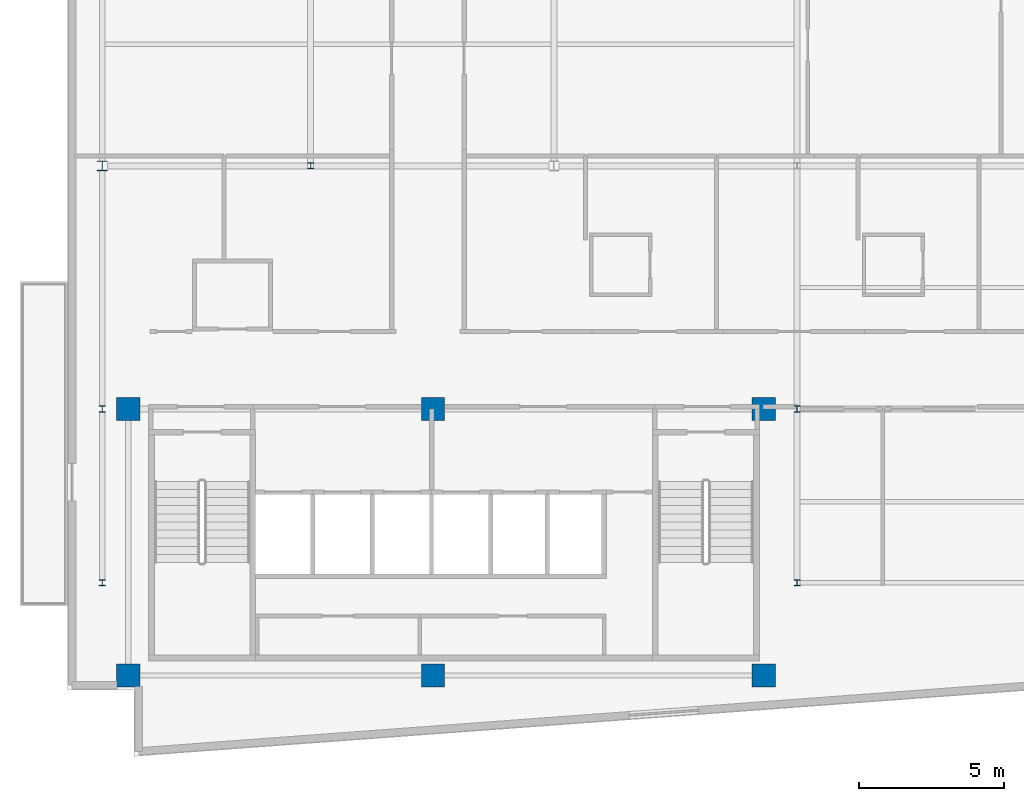
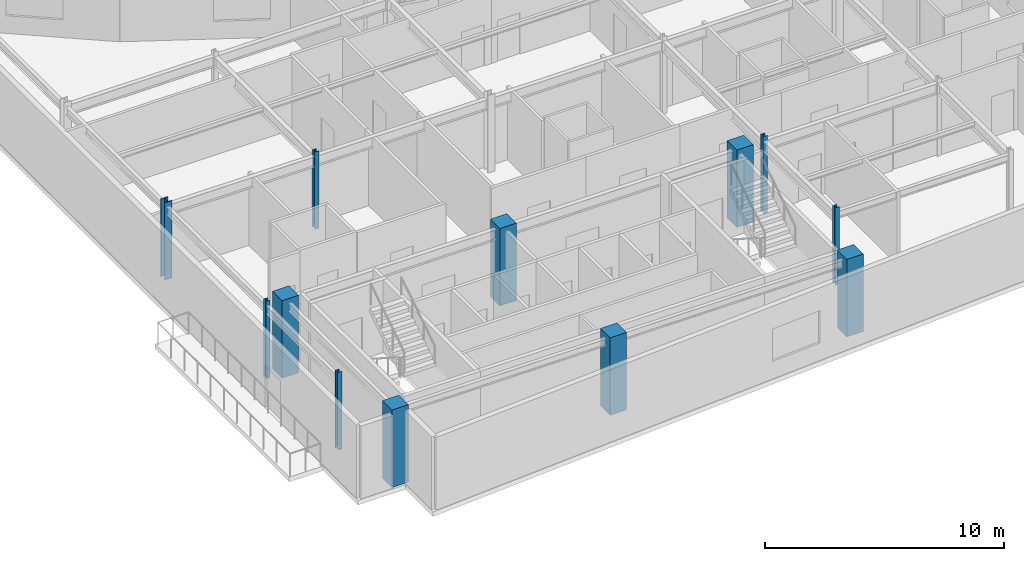
# One storey, part 1 of 16: 12 columns.
"""IFC4 building model written with IfcOpenShell, lengths in metres."""

from ifc_helpers import new_model, si_unit, direction, frame, origin, origin_2d, place, context, subcontext, project, spatial, rectangle, i_section, extrude, material, material_profile, profile_set, type_object, element, save


model = new_model("IFC4")

# Units and contexts
model_context = context("Model", 3, precision=1e-05, world=origin(), true_north=direction((0.0, 1.0)))
body_context = subcontext(model_context, "Body", "Model", "MODEL_VIEW")
ifc_project = project(units=[si_unit("LENGTHUNIT", "METRE"), si_unit("AREAUNIT", "SQUARE_METRE"), si_unit("VOLUMEUNIT", "CUBIC_METRE"), si_unit("PLANEANGLEUNIT", "RADIAN"), si_unit("MASSUNIT", "GRAM", prefix="KILO")], contexts=[model_context])

# Site, building, storey
site_placement = place(None, origin())
site = spatial("IfcSite", under=ifc_project, at=site_placement, CompositionType="ELEMENT")
building_placement = place(site_placement, origin())
building = spatial("IfcBuilding", under=site, at=building_placement, Name="Varnakote Quay Hospital", CompositionType="ELEMENT")
storey_placement = place(building_placement, frame((0.0, 0.0, 280.25)))
storey = spatial("IfcBuildingStorey", under=building, at=storey_placement, Name="L69", CompositionType="ELEMENT", Elevation=280.25)

# Columns
ifc_material_1 = material(Name="Concrete N50 (f'c 50 MPa)", Category="concrete")
ifc_material_profile_1 = material_profile(ifc_material_1, rectangle(XDim=0.800048828125, YDim=0.800048828125, at=origin_2d()), Name="RC-COL-800x800")
ifc_profile_set_1 = profile_set([ifc_material_profile_1], Name="Concrete N50 (f'c 50 MPa)")
column_type_1 = type_object("IfcColumnType", Name="COL-RC-800", PredefinedType="COLUMN", material=ifc_profile_set_1)
for number, where, z_axis, x_axis, name in (
    (1, (2.10009765625, 2.800048828125, 0.0), (0.0, 0.0, 1.0), (1.0, 0.0, 0.0), "L69 Structural Column C-2-3"),
    (2, (12.6201171875, 2.800048828125, 0.0), (0.0, 0.0, 1.0), (1.0, 0.0, 0.0), "L69 Structural Column C-13-3"),
    (3, (24.050048828125, 2.800048828125, 0.0), (0.0, 0.0, 1.0), (1.0, 0.0, 0.0), "L69 Structural Column C-24-3"),
    (4, (2.10009765625, 12.0, 0.0), (0.0, 0.0, 1.0), (1.0, 0.0, 0.0), "L69 Structural Column C-2-12"),
    (5, (12.6201171875, 12.0, 0.0), (0.0, 0.0, 1.0), (1.0, 0.0, 0.0), "L69 Structural Column C-13-12"),
    (6, (24.050048828125, 12.0, 0.0), (0.0, 0.0, 1.0), (1.0, 0.0, 0.0), "L69 Structural Column C-24-12"),
):
    element("IfcColumn", number, at=place(storey_placement, frame(where, z_axis=z_axis, x_axis=x_axis)), inside=storey, type_object=column_type_1, Name=name, PredefinedType="COLUMN", context=body_context, shape_type="SweptSolid", body=[
        extrude(rectangle(XDim=0.800048828125, YDim=0.800048828125, at=origin_2d()), origin(), (0.0, 0.0, 1.0), 3.949951171875),
    ])
ifc_material_2 = material(Name="Structural steel AS/NZS 3679.1 Grade 350 L0 (fy 340 MPa)", Category="steel")
ifc_material_profile_2 = material_profile(ifc_material_2, i_section(OverallWidth=0.205078125, OverallDepth=0.2099609375, WebThickness=0.00927734375, FlangeThickness=0.01416015625, FilletRadius=0.011474609375, at=origin_2d()), Name="200UC59.5")
ifc_profile_set_2 = profile_set([ifc_material_profile_2], Name="Structural steel AS/NZS 3679.1 Grade 350 L0 (fy 340 MPa)")
column_type_2 = type_object("IfcColumnType", Name="COL-STL-200UC59-5", PredefinedType="COLUMN", material=ifc_profile_set_2)
for number, where, z_axis, x_axis, name in (
    (7, (1.199951171875, 6.0, 0.0), (0.0, 0.0, 1.0), (1.0, 0.0, 0.0), "L69 Structural Column C-1-6"),
    (8, (25.199951171875, 6.0, 0.0), (0.0, 0.0, 1.0), (1.0, 0.0, 0.0), "L69 Structural Column C-25-6"),
    (9, (1.199951171875, 12.0, 0.0), (0.0, 0.0, 1.0), (1.0, 0.0, 0.0), "L69 Structural Column C-1-12"),
    (10, (25.199951171875, 12.0, 0.0), (0.0, 0.0, 1.0), (1.0, 0.0, 0.0), "L69 Structural Column C-25-12"),
    (11, (8.39990234375, 20.39990234375, 0.0), (0.0, 0.0, 1.0), (1.0, 0.0, 0.0), "L69 Structural Column C-8-20"),
):
    element("IfcColumn", number, at=place(storey_placement, frame(where, z_axis=z_axis, x_axis=x_axis)), inside=storey, type_object=column_type_2, Name=name, PredefinedType="COLUMN", context=body_context, shape_type="SweptSolid", body=[
        extrude(i_section(OverallWidth=0.205078125, OverallDepth=0.2099609375, WebThickness=0.00927734375, FlangeThickness=0.01416015625, FilletRadius=0.011474609375, at=origin_2d()), origin(), (0.0, 0.0, 1.0), 3.949951171875),
    ])
ifc_material_3 = material(Name="Structural steel AS/NZS 3678 Grade 350 (fy 340 MPa)", Category="steel")
ifc_material_profile_3 = material_profile(ifc_material_3, i_section(OverallWidth=0.35009765625, OverallDepth=0.340087890625, WebThickness=0.01611328125, FlangeThickness=0.028076171875, at=origin_2d()), Name="350WC197")
ifc_profile_set_3 = profile_set([ifc_material_profile_3], Name="Structural steel AS/NZS 3678 Grade 350 (fy 340 MPa)")
column_type_3 = type_object("IfcColumnType", Name="COL-STL-350WC197", PredefinedType="COLUMN", material=ifc_profile_set_3)
column_placement = place(storey_placement, frame((1.199951171875, 20.39990234375, 0.0), z_axis=(0.0, 0.0, 1.0), x_axis=(1.0, 0.0, 0.0)))
element("IfcColumn", 12, at=column_placement, inside=storey, type_object=column_type_3, Name="L69 Structural Column C-1-20", PredefinedType="COLUMN", context=body_context, shape_type="SweptSolid", body=[
    extrude(i_section(OverallWidth=0.35009765625, OverallDepth=0.340087890625, WebThickness=0.01611328125, FlangeThickness=0.028076171875, at=origin_2d()), origin(), (0.0, 0.0, 1.0), 3.949951171875),
])

save(model, "model.ifc")
